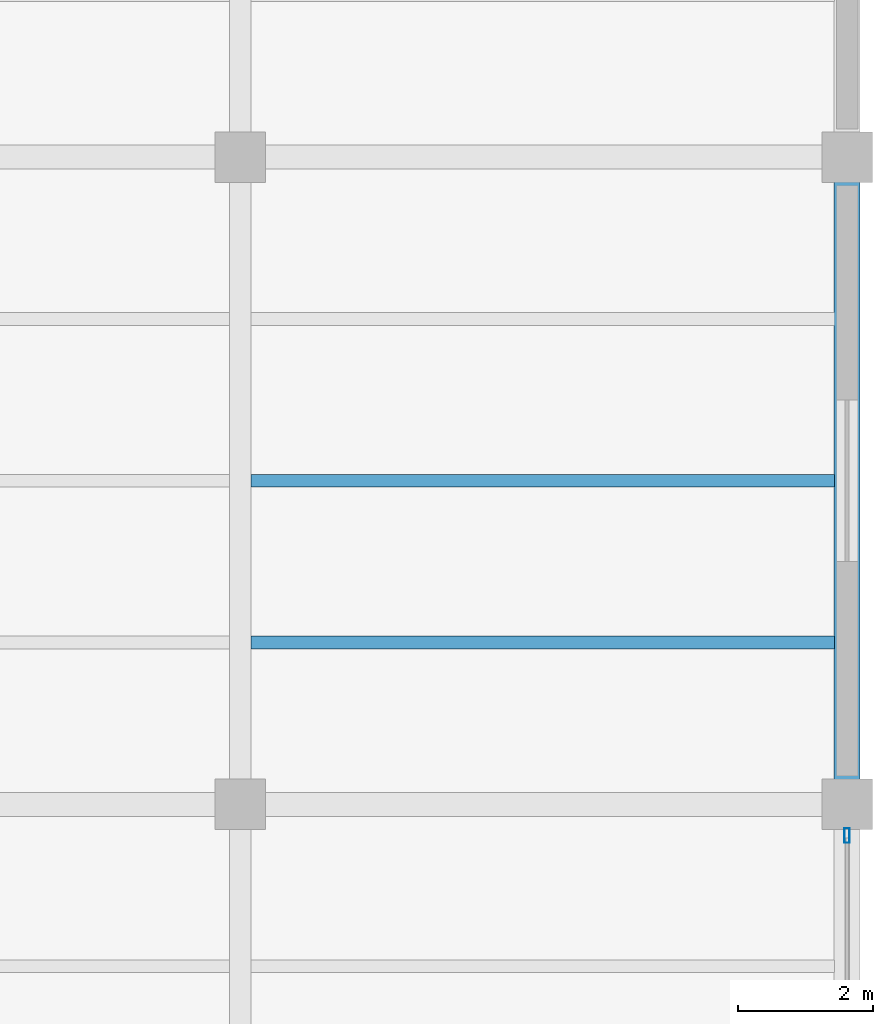
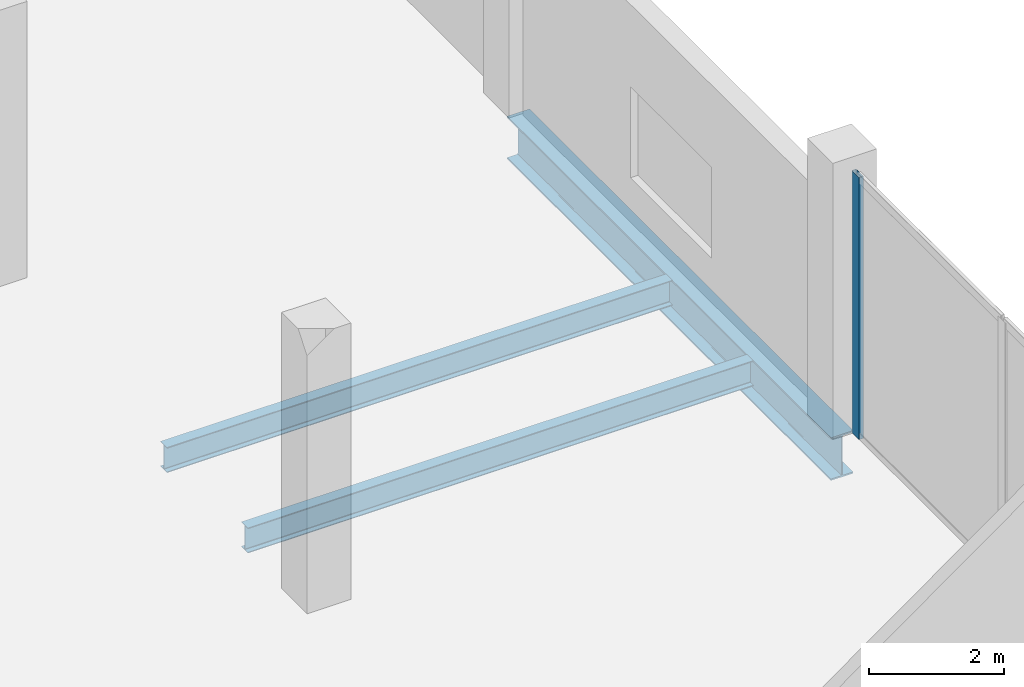
# One storey, part 24 of 47: 3 beams, 1 member, 1 element without a shape of its own.
"""IFC4 building model written with IfcOpenShell, lengths in metres."""

from ifc_helpers import new_model, si_unit, direction, frame, origin, origin_2d, place, context, subcontext, project, spatial, hollow_rectangle, i_section, extrude, material, layer, layer_set, material_profile, profile_set, type_object, element, aggregate, save


model = new_model("IFC4")

# Units and contexts
model_context = context("Model", 3, precision=1e-05, world=origin(), true_north=direction((0.0, 1.0)))
body_context = subcontext(model_context, "Body", "Model", "MODEL_VIEW")
ifc_project = project(units=[si_unit("LENGTHUNIT", "METRE"), si_unit("AREAUNIT", "SQUARE_METRE"), si_unit("VOLUMEUNIT", "CUBIC_METRE"), si_unit("PLANEANGLEUNIT", "RADIAN"), si_unit("MASSUNIT", "GRAM", prefix="KILO")], contexts=[model_context])

# Site, building, storey
site_placement = place(None, origin())
site = spatial("IfcSite", under=ifc_project, at=site_placement, CompositionType="ELEMENT")
building_placement = place(site_placement, origin())
building = spatial("IfcBuilding", under=site, at=building_placement, Name="Qorvath Tower", CompositionType="ELEMENT")
storey_placement = place(building_placement, frame((0.0, 0.0, 12.0)))
storey = spatial("IfcBuildingStorey", under=building, at=storey_placement, Name="L02", CompositionType="ELEMENT", Elevation=12.0)

# Beams
ifc_material_1 = material(Name="Steel ASTM A992 Grade 50", Category="steel")
ifc_material_profile_1 = material_profile(ifc_material_1, i_section(OverallWidth=0.381103515625, OverallDepth=0.77294921875, WebThickness=0.0166015625, FlangeThickness=0.027099609375, FilletRadius=0.01904296875, at=origin_2d()), Name="W30x173")
ifc_profile_set_1 = profile_set([ifc_material_profile_1], Name="Steel ASTM A992 Grade 50")
beam_type_1 = type_object("IfcBeamType", Name="BM-FG3", PredefinedType="BEAM", material=ifc_profile_set_1)
beam_placement = place(storey_placement, frame((77.39990234375, 19.199951171875, -0.646484375), z_axis=(0.0, 1.0, 0.0), x_axis=(-1.0, 0.0, 0.0)))
element("IfcBeam", 1, at=beam_placement, inside=storey, type_object=beam_type_1, Name="Library N-S Girder L02-6-7", PredefinedType="BEAM", context=body_context, shape_type="SweptSolid", body=[
    extrude(i_section(OverallWidth=0.381103515625, OverallDepth=0.77294921875, WebThickness=0.0166015625, FlangeThickness=0.027099609375, FilletRadius=0.01904296875, at=origin_2d()), origin(), (0.0, 0.0, 1.0), 9.60009765625),
])
ifc_material_2 = material(Name="Steel ASTM A992 Grade 50", Category="steel")
ifc_material_profile_2 = material_profile(ifc_material_2, i_section(OverallWidth=0.18994140625, OverallDepth=0.45703125, WebThickness=0.009033203125, FlangeThickness=0.014404296875, FilletRadius=0.011962890625, at=origin_2d()), Name="W18x50")
ifc_profile_set_2 = profile_set([ifc_material_profile_2], Name="Steel ASTM A992 Grade 50")
beam_type_2 = type_object("IfcBeamType", Name="BM-FJ2", PredefinedType="JOIST", material=ifc_profile_set_2)
for number, where, z_axis, x_axis, name in (
    (2, (68.560546875, 21.60009765625, -0.488525390625), (1.0, 0.0, 0.0), (0.0, 1.0, 0.0), "Library Stack Joist L02-7.1-5"),
    (3, (68.560546875, 24.0, -0.488525390625), (1.0, 0.0, 0.0), (0.0, 1.0, 0.0), "Library Stack Joist L02-7.2-5"),
):
    element("IfcBeam", number, at=place(storey_placement, frame(where, z_axis=z_axis, x_axis=x_axis)), inside=storey, type_object=beam_type_2, Name=name, PredefinedType="JOIST", context=body_context, shape_type="SweptSolid", body=[
        extrude(i_section(OverallWidth=0.18994140625, OverallDepth=0.45703125, WebThickness=0.009033203125, FlangeThickness=0.014404296875, FilletRadius=0.011962890625, at=origin_2d()), origin(), (0.0, 0.0, 1.0), 8.65087890625),
    ])

# Curtain wall, member
ifc_material_3 = material(Name="Anodised aluminium and triple low-E glass", Category="aluminium")
ifc_layer = layer(ifc_material_3, 0.179931640625)
ifc_layer_set = layer_set([ifc_layer], Name="CW-SYS-6")
curtain_wall_type = type_object("IfcCurtainWallType", Name="CW-SYS-6", PredefinedType="NOTDEFINED", material=ifc_layer_set)
curtain_wall_placement = place(storey_placement, origin())
curtain_wall = element("IfcCurtainWall", 4, at=curtain_wall_placement, inside=storey, type_object=curtain_wall_type, Name="Curtain Wall CW-6 CW-LIB-E-L02-6", PredefinedType="NOTDEFINED")
ifc_material_4 = material(Name="Anodised aluminium 6063-T6", Category="aluminium")
ifc_material_profile_3 = material_profile(ifc_material_4, hollow_rectangle(XDim=0.080078125, YDim=0.219970703125, WallThickness=0.00439453125, InnerFilletRadius=0.00439453125, OuterFilletRadius=0.009033203125, at=origin_2d()), Name="CWM LIB 220x80")
ifc_profile_set_3 = profile_set([ifc_material_profile_3], Name="Anodised aluminium 6063-T6")
member_type = type_object("IfcMemberType", Name="CWM-LIB", PredefinedType="MULLION", material=ifc_profile_set_3)
member_placement = place(storey_placement, frame((77.39990234375, 18.739990234375, 0.0), z_axis=(0.0, 0.0, 1.0), x_axis=(-1.0, 0.0, 0.0)))
member = element("IfcMember", 5, at=member_placement, type_object=member_type, Name="CW-6 mullion 3", PredefinedType="MULLION", context=body_context, shape_type="SweptSolid", body=[
    extrude(hollow_rectangle(XDim=0.080078125, YDim=0.219970703125, WallThickness=0.00439453125, InnerFilletRadius=0.00439453125, OuterFilletRadius=0.009033203125, at=origin_2d()), origin(), (0.0, 0.0, 1.0), 4.739990234375),
])
aggregate(curtain_wall, [member])

save(model, "model.ifc")
